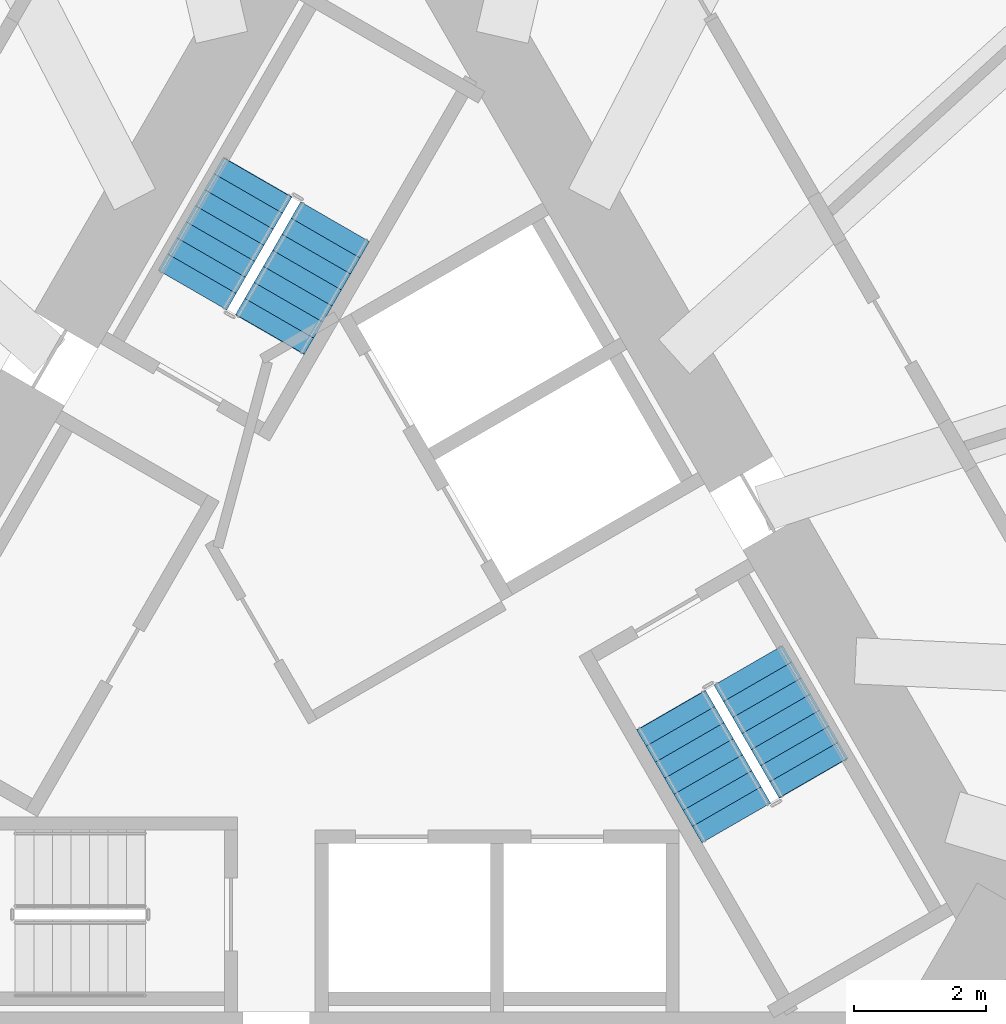
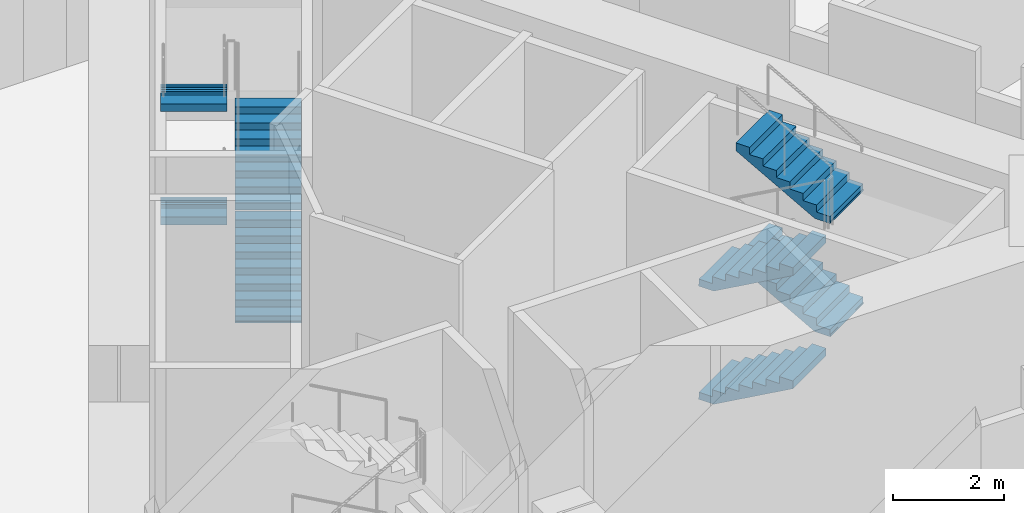
# One storey, part 16 of 20: 8 stair flights, 2 elements without a shape of their own.
"""IFC4 building model written with IfcOpenShell, lengths in metres."""

from ifc_helpers import new_model, si_unit, direction, frame, origin, place, context, subcontext, project, spatial, polyline, outline, extrude, material, layer, layer_set, type_object, element, aggregate, save


model = new_model("IFC4")

# Units and contexts
model_context = context("Model", 3, precision=1e-05, world=origin(), true_north=direction((0.0, 1.0)))
body_context = subcontext(model_context, "Body", "Model", "MODEL_VIEW")
ifc_project = project(units=[si_unit("LENGTHUNIT", "METRE"), si_unit("AREAUNIT", "SQUARE_METRE"), si_unit("VOLUMEUNIT", "CUBIC_METRE"), si_unit("PLANEANGLEUNIT", "RADIAN"), si_unit("MASSUNIT", "GRAM", prefix="KILO")], contexts=[model_context])

# Site, building, storey
site_placement = place(None, origin())
site = spatial("IfcSite", under=ifc_project, at=site_placement, CompositionType="ELEMENT")
building_placement = place(site_placement, origin())
building = spatial("IfcBuilding", under=site, at=building_placement, Name="Tramontana Tower", CompositionType="ELEMENT")
storey_placement = place(building_placement, frame((0.0, 0.0, 10.0)))
storey = spatial("IfcBuildingStorey", under=building, at=storey_placement, Name="L01", CompositionType="ELEMENT", Elevation=10.0)

# Stair, stair flights
ifc_material_1 = material(Name="Concrete 40 MPa", Category="concrete")
stair_type = type_object("IfcStairType", Name="EXIT STAIR 32 RISERS", PredefinedType="HALF_TURN_STAIR", material=ifc_material_1)
stair_1_placement = place(storey_placement, origin())
stair_1 = element("IfcStair", 1, at=stair_1_placement, inside=storey, type_object=stair_type, Name="L01 Exit stair ST1", PredefinedType="HALF_TURN_STAIR")
ifc_material_2 = material(Name="Concrete 40 MPa", Category="concrete")
ifc_layer = layer(ifc_material_2, 0.14990234375)
ifc_layer_set = layer_set([ifc_layer], Name="EXIT STAIR FLIGHT")
stair_flight_type = type_object("IfcStairFlightType", Name="EXIT STAIR FLIGHT", PredefinedType="STRAIGHT", material=ifc_layer_set)
stair_flight_1_placement = place(storey_placement, frame((-1.39111328125, 4.590576171875, 0.0), z_axis=(0.0, 0.0, 1.0), x_axis=(0.5, 0.866025403784, 0.0)))
stair_flight_1 = element("IfcStairFlight", 2, at=stair_flight_1_placement, type_object=stair_flight_type, Name="ST1 flight 1", NumberOfRisers=8, NumberOfTreads=7, PredefinedType="STRAIGHT", RiserHeight=0.15625, TreadLength=0.28, context=body_context, shape_type="SweptSolid", body=[
    extrude(outline(polyline([(-0.006103515625, 0.0), (-0.006103515625, 0.0400390625), (0.0, 0.0400390625), (0.0, 0.15625), (0.280029296875, 0.15625), (0.280029296875, 0.3125), (0.56005859375, 0.3125), (0.56005859375, 0.46875), (0.840087890625, 0.46875), (0.840087890625, 0.625), (1.1201171875, 0.625), (1.1201171875, 0.78125), (1.39990234375, 0.78125), (1.39990234375, 0.9375), (1.679931640625, 0.9375), (1.679931640625, 1.09375), (1.9599609375, 1.09375), (1.966064453125, 1.09375), (1.966064453125, 0.922119140625), (0.313720703125, 0.0), (-0.006103515625, 0.0)])), frame((0.0, 0.60009765625, 0.0), z_axis=(0.0, -1.0, 0.0), x_axis=(1.0, 0.0, 0.0)), (0.0, 0.0, 1.0), 1.199951171875),
])
stair_flight_2_placement = place(storey_placement, frame((-1.580322265625, 6.962890625, 1.25), z_axis=(0.0, 0.0, 1.0), x_axis=(-0.5, -0.866025403784, 0.0)))
stair_flight_2 = element("IfcStairFlight", 3, at=stair_flight_2_placement, type_object=stair_flight_type, Name="ST1 flight 2", NumberOfRisers=8, NumberOfTreads=7, PredefinedType="STRAIGHT", RiserHeight=0.15625, TreadLength=0.28, context=body_context, shape_type="SweptSolid", body=[
    extrude(outline(polyline([(-0.006103515625, 0.0), (-0.006103515625, 0.0400390625), (0.0, 0.0400390625), (0.0, 0.15625), (0.280029296875, 0.15625), (0.280029296875, 0.3125), (0.56005859375, 0.3125), (0.56005859375, 0.46875), (0.840087890625, 0.46875), (0.840087890625, 0.625), (1.1201171875, 0.625), (1.1201171875, 0.78125), (1.39990234375, 0.78125), (1.39990234375, 0.9375), (1.679931640625, 0.9375), (1.679931640625, 1.09375), (1.9599609375, 1.09375), (1.966064453125, 1.09375), (1.966064453125, 0.922119140625), (0.313720703125, 0.0), (-0.006103515625, 0.0)])), frame((0.0, 0.60009765625, 0.0), z_axis=(0.0, -1.0, 0.0), x_axis=(1.0, 0.0, 0.0)), (0.0, 0.0, 1.0), 1.199951171875),
])
stair_flight_3_placement = place(storey_placement, frame((-1.39111328125, 4.590576171875, 2.5), z_axis=(0.0, 0.0, 1.0), x_axis=(0.5, 0.866025403784, 0.0)))
stair_flight_3 = element("IfcStairFlight", 4, at=stair_flight_3_placement, type_object=stair_flight_type, Name="ST1 flight 3", NumberOfRisers=8, NumberOfTreads=7, PredefinedType="STRAIGHT", RiserHeight=0.15625, TreadLength=0.28, context=body_context, shape_type="SweptSolid", body=[
    extrude(outline(polyline([(-0.006103515625, 0.0), (-0.006103515625, 0.0400390625), (0.0, 0.0400390625), (0.0, 0.15625), (0.280029296875, 0.15625), (0.280029296875, 0.3125), (0.56005859375, 0.3125), (0.56005859375, 0.46875), (0.840087890625, 0.46875), (0.840087890625, 0.625), (1.1201171875, 0.625), (1.1201171875, 0.78125), (1.39990234375, 0.78125), (1.39990234375, 0.9375), (1.679931640625, 0.9375), (1.679931640625, 1.09375), (1.9599609375, 1.09375), (1.966064453125, 1.09375), (1.966064453125, 0.922119140625), (0.313720703125, 0.0), (-0.006103515625, 0.0)])), frame((0.0, 0.60009765625, 0.0), z_axis=(0.0, -1.0, 0.0), x_axis=(1.0, 0.0, 0.0)), (0.0, 0.0, 1.0), 1.199951171875),
])
stair_flight_4_placement = place(storey_placement, frame((-1.580322265625, 6.962890625, 3.75), z_axis=(0.0, 0.0, 1.0), x_axis=(-0.5, -0.866025403784, 0.0)))
stair_flight_4 = element("IfcStairFlight", 5, at=stair_flight_4_placement, type_object=stair_flight_type, Name="ST1 flight 4", NumberOfRisers=8, NumberOfTreads=7, PredefinedType="STRAIGHT", RiserHeight=0.15625, TreadLength=0.28, context=body_context, shape_type="SweptSolid", body=[
    extrude(outline(polyline([(-0.006103515625, 0.0), (-0.006103515625, 0.0400390625), (0.0, 0.0400390625), (0.0, 0.15625), (0.280029296875, 0.15625), (0.280029296875, 0.3125), (0.56005859375, 0.3125), (0.56005859375, 0.46875), (0.840087890625, 0.46875), (0.840087890625, 0.625), (1.1201171875, 0.625), (1.1201171875, 0.78125), (1.39990234375, 0.78125), (1.39990234375, 0.9375), (1.679931640625, 0.9375), (1.679931640625, 1.09375), (1.9599609375, 1.09375), (1.966064453125, 1.09375), (1.966064453125, 0.922119140625), (0.313720703125, 0.0), (-0.006103515625, 0.0)])), frame((0.0, 0.60009765625, 0.0), z_axis=(0.0, -1.0, 0.0), x_axis=(1.0, 0.0, 0.0)), (0.0, 0.0, 1.0), 1.199951171875),
])
aggregate(stair_1, [stair_flight_1, stair_flight_2, stair_flight_3, stair_flight_4])

stair_2_placement = place(storey_placement, origin())
stair_2 = element("IfcStair", 6, at=stair_2_placement, inside=storey, type_object=stair_type, Name="L01 Exit stair ST3", PredefinedType="HALF_TURN_STAIR")
stair_flight_5_placement = place(storey_placement, frame((4.671142578125, -1.090576171875, 0.0), z_axis=(0.0, 0.0, 1.0), x_axis=(0.5, -0.866025403784, 0.0)))
stair_flight_5 = element("IfcStairFlight", 7, at=stair_flight_5_placement, type_object=stair_flight_type, Name="ST3 flight 1", NumberOfRisers=8, NumberOfTreads=7, PredefinedType="STRAIGHT", RiserHeight=0.15625, TreadLength=0.28, context=body_context, shape_type="SweptSolid", body=[
    extrude(outline(polyline([(-0.006103515625, 0.0), (-0.006103515625, 0.0400390625), (0.0, 0.0400390625), (0.0, 0.15625), (0.280029296875, 0.15625), (0.280029296875, 0.3125), (0.56005859375, 0.3125), (0.56005859375, 0.46875), (0.840087890625, 0.46875), (0.840087890625, 0.625), (1.1201171875, 0.625), (1.1201171875, 0.78125), (1.39990234375, 0.78125), (1.39990234375, 0.9375), (1.679931640625, 0.9375), (1.679931640625, 1.09375), (1.9599609375, 1.09375), (1.966064453125, 1.09375), (1.966064453125, 0.922119140625), (0.313720703125, 0.0), (-0.006103515625, 0.0)])), frame((0.0, 0.60009765625, 0.0), z_axis=(0.0, -1.0, 0.0), x_axis=(1.0, 0.0, 0.0)), (0.0, 0.0, 1.0), 1.199951171875),
])
stair_flight_6_placement = place(storey_placement, frame((6.8203125, -2.113037109375, 1.25), z_axis=(0.0, 0.0, 1.0), x_axis=(-0.5, 0.866025403784, 0.0)))
stair_flight_6 = element("IfcStairFlight", 8, at=stair_flight_6_placement, type_object=stair_flight_type, Name="ST3 flight 2", NumberOfRisers=8, NumberOfTreads=7, PredefinedType="STRAIGHT", RiserHeight=0.15625, TreadLength=0.28, context=body_context, shape_type="SweptSolid", body=[
    extrude(outline(polyline([(-0.006103515625, 0.0), (-0.006103515625, 0.0400390625), (0.0, 0.0400390625), (0.0, 0.15625), (0.280029296875, 0.15625), (0.280029296875, 0.3125), (0.56005859375, 0.3125), (0.56005859375, 0.46875), (0.840087890625, 0.46875), (0.840087890625, 0.625), (1.1201171875, 0.625), (1.1201171875, 0.78125), (1.39990234375, 0.78125), (1.39990234375, 0.9375), (1.679931640625, 0.9375), (1.679931640625, 1.09375), (1.9599609375, 1.09375), (1.966064453125, 1.09375), (1.966064453125, 0.922119140625), (0.313720703125, 0.0), (-0.006103515625, 0.0)])), frame((0.0, 0.60009765625, 0.0), z_axis=(0.0, -1.0, 0.0), x_axis=(1.0, 0.0, 0.0)), (0.0, 0.0, 1.0), 1.199951171875),
])
stair_flight_7_placement = place(storey_placement, frame((4.671142578125, -1.090576171875, 2.5), z_axis=(0.0, 0.0, 1.0), x_axis=(0.5, -0.866025403784, 0.0)))
stair_flight_7 = element("IfcStairFlight", 9, at=stair_flight_7_placement, type_object=stair_flight_type, Name="ST3 flight 3", NumberOfRisers=8, NumberOfTreads=7, PredefinedType="STRAIGHT", RiserHeight=0.15625, TreadLength=0.28, context=body_context, shape_type="SweptSolid", body=[
    extrude(outline(polyline([(-0.006103515625, 0.0), (-0.006103515625, 0.0400390625), (0.0, 0.0400390625), (0.0, 0.15625), (0.280029296875, 0.15625), (0.280029296875, 0.3125), (0.56005859375, 0.3125), (0.56005859375, 0.46875), (0.840087890625, 0.46875), (0.840087890625, 0.625), (1.1201171875, 0.625), (1.1201171875, 0.78125), (1.39990234375, 0.78125), (1.39990234375, 0.9375), (1.679931640625, 0.9375), (1.679931640625, 1.09375), (1.9599609375, 1.09375), (1.966064453125, 1.09375), (1.966064453125, 0.922119140625), (0.313720703125, 0.0), (-0.006103515625, 0.0)])), frame((0.0, 0.60009765625, 0.0), z_axis=(0.0, -1.0, 0.0), x_axis=(1.0, 0.0, 0.0)), (0.0, 0.0, 1.0), 1.199951171875),
])
stair_flight_8_placement = place(storey_placement, frame((6.8203125, -2.113037109375, 3.75), z_axis=(0.0, 0.0, 1.0), x_axis=(-0.5, 0.866025403784, 0.0)))
stair_flight_8 = element("IfcStairFlight", 10, at=stair_flight_8_placement, type_object=stair_flight_type, Name="ST3 flight 4", NumberOfRisers=8, NumberOfTreads=7, PredefinedType="STRAIGHT", RiserHeight=0.15625, TreadLength=0.28, context=body_context, shape_type="SweptSolid", body=[
    extrude(outline(polyline([(-0.006103515625, 0.0), (-0.006103515625, 0.0400390625), (0.0, 0.0400390625), (0.0, 0.15625), (0.280029296875, 0.15625), (0.280029296875, 0.3125), (0.56005859375, 0.3125), (0.56005859375, 0.46875), (0.840087890625, 0.46875), (0.840087890625, 0.625), (1.1201171875, 0.625), (1.1201171875, 0.78125), (1.39990234375, 0.78125), (1.39990234375, 0.9375), (1.679931640625, 0.9375), (1.679931640625, 1.09375), (1.9599609375, 1.09375), (1.966064453125, 1.09375), (1.966064453125, 0.922119140625), (0.313720703125, 0.0), (-0.006103515625, 0.0)])), frame((0.0, 0.60009765625, 0.0), z_axis=(0.0, -1.0, 0.0), x_axis=(1.0, 0.0, 0.0)), (0.0, 0.0, 1.0), 1.199951171875),
])
aggregate(stair_2, [stair_flight_5, stair_flight_6, stair_flight_7, stair_flight_8])

save(model, "model.ifc")
